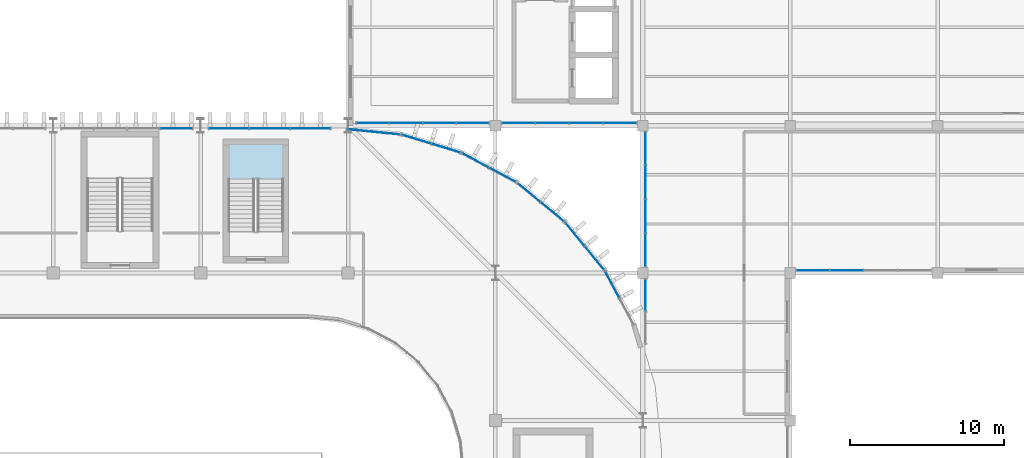
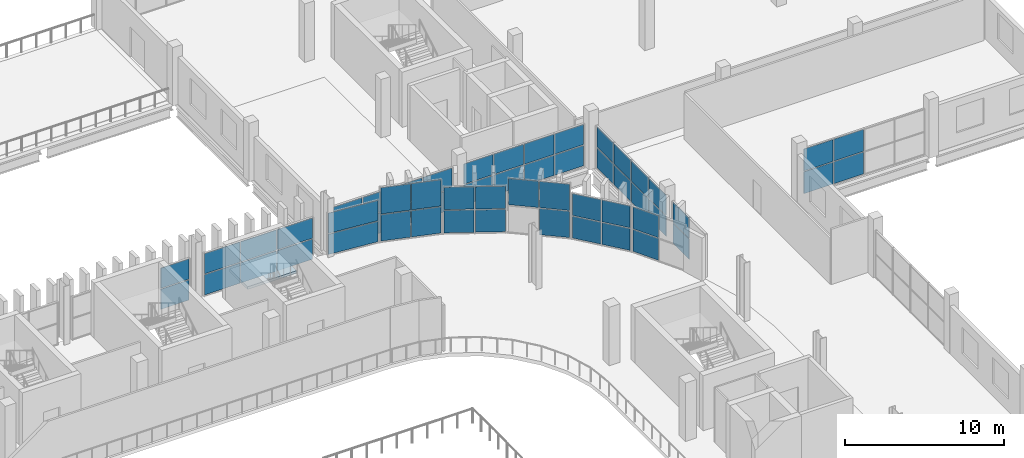
# One storey, part 41 of 75: 57 plates, 1 slab, 14 elements without a shape of their own.
"""IFC4 building model written with IfcOpenShell, lengths in metres."""

from ifc_helpers import new_model, si_unit, direction, frame, origin, origin_2d, place, context, subcontext, project, spatial, polyline, rectangle, outline, extrude, material, layer, layer_set, type_object, element, aggregate, save


model = new_model("IFC4")

# Units and contexts
model_context = context("Model", 3, precision=1e-05, world=origin(), true_north=direction((0.0, 1.0)))
body_context = subcontext(model_context, "Body", "Model", "MODEL_VIEW")
ifc_project = project(units=[si_unit("LENGTHUNIT", "METRE"), si_unit("AREAUNIT", "SQUARE_METRE"), si_unit("VOLUMEUNIT", "CUBIC_METRE"), si_unit("PLANEANGLEUNIT", "RADIAN"), si_unit("MASSUNIT", "GRAM", prefix="KILO")], contexts=[model_context])

# Site, building, storey
site_placement = place(None, origin())
site = spatial("IfcSite", under=ifc_project, at=site_placement, CompositionType="ELEMENT")
building_placement = place(site_placement, origin())
building = spatial("IfcBuilding", under=site, at=building_placement, Name="Caelomonte Colonnade Arena", CompositionType="ELEMENT")
storey_placement = place(building_placement, frame((0.0, 0.0, 14.10009765625)))
storey = spatial("IfcBuildingStorey", under=building, at=storey_placement, Name="L03", CompositionType="ELEMENT", Elevation=14.10009765625)

# Curtain wall, plates
ifc_material_1 = material(Name="Bronze anodised aluminium and low-E glazing", Category="aluminium")
ifc_layer_1 = layer(ifc_material_1, 0.179931640625)
ifc_layer_set_1 = layer_set([ifc_layer_1], Name="Bronze anodised aluminium and low-E glazing")
curtain_wall_type_1 = type_object("IfcCurtainWallType", Name="ENV-CW-CW-L03-96-36", PredefinedType="USERDEFINED", material=ifc_layer_set_1)
curtain_wall_1_placement = place(storey_placement, origin())
curtain_wall_1 = element("IfcCurtainWall", 1, at=curtain_wall_1_placement, inside=storey, type_object=curtain_wall_type_1, Name="L03 unitized curtain wall CW-L03-1776-1058", ObjectType="UNITIZED CURTAIN WALL", PredefinedType="USERDEFINED")
ifc_material_2 = material(Name="Solar-control bronze low-E double glazing", Category="glass")
ifc_layer_2 = layer(ifc_material_2, 0.035888671875)
ifc_layer_set_2 = layer_set([ifc_layer_2], Name="Solar-control bronze low-E double glazing")
plate_type = type_object("IfcPlateType", Name="ENV-CW-PAN36", PredefinedType="CURTAIN_PANEL", material=ifc_layer_set_2)
plate_1_placement = place(storey_placement, frame((174.293701171875, 105.780029296875, 0.06494140625), z_axis=(0.0, 0.0, 1.0), x_axis=(1.0, 0.0, 0.0)))
plate_1 = element("IfcPlate", 2, at=plate_1_placement, type_object=plate_type, Name="CW-L03-96-36 panel 1.1", PredefinedType="CURTAIN_PANEL", context=body_context, shape_type="SweptSolid", body=[
    extrude(rectangle(XDim=2.117431640625, YDim=0.035888671875, at=origin_2d()), origin(), (0.0, 0.0, 1.0), 1.680908203125),
])
plate_2_placement = place(storey_placement, frame((174.293701171875, 105.780029296875, 1.810546875), z_axis=(0.0, 0.0, 1.0), x_axis=(1.0, 0.0, 0.0)))
plate_2 = element("IfcPlate", 3, at=plate_2_placement, type_object=plate_type, Name="CW-L03-96-36 panel 1.2", PredefinedType="CURTAIN_PANEL", context=body_context, shape_type="SweptSolid", body=[
    extrude(rectangle(XDim=2.117431640625, YDim=0.035888671875, at=origin_2d()), origin(), (0.0, 0.0, 1.0), 1.680908203125),
])
plate_3_placement = place(storey_placement, frame((176.492431640625, 105.780029296875, 0.06494140625), z_axis=(0.0, 0.0, 1.0), x_axis=(1.0, 0.0, 0.0)))
plate_3 = element("IfcPlate", 4, at=plate_3_placement, type_object=plate_type, Name="CW-L03-96-36 panel 2.1", PredefinedType="CURTAIN_PANEL", context=body_context, shape_type="SweptSolid", body=[
    extrude(rectangle(XDim=2.14990234375, YDim=0.035888671875, at=origin_2d()), origin(), (0.0, 0.0, 1.0), 1.680908203125),
])
plate_4_placement = place(storey_placement, frame((176.492431640625, 105.780029296875, 1.810546875), z_axis=(0.0, 0.0, 1.0), x_axis=(1.0, 0.0, 0.0)))
plate_4 = element("IfcPlate", 5, at=plate_4_placement, type_object=plate_type, Name="CW-L03-96-36 panel 2.2", PredefinedType="CURTAIN_PANEL", context=body_context, shape_type="SweptSolid", body=[
    extrude(rectangle(XDim=2.14990234375, YDim=0.035888671875, at=origin_2d()), origin(), (0.0, 0.0, 1.0), 1.680908203125),
])
aggregate(curtain_wall_1, [plate_1, plate_2, plate_3, plate_4])

ifc_layer_3 = layer(ifc_material_1, 0.179931640625)
ifc_layer_set_3 = layer_set([ifc_layer_3], Name="Bronze anodised aluminium and low-E glazing")
curtain_wall_type_2 = type_object("IfcCurtainWallType", Name="ENV-CW-CW-L03-96-33", PredefinedType="USERDEFINED", material=ifc_layer_set_3)
curtain_wall_2_placement = place(storey_placement, origin())
curtain_wall_2 = element("IfcCurtainWall", 6, at=curtain_wall_2_placement, inside=storey, type_object=curtain_wall_type_2, Name="L03 unitized curtain wall CW-L03-1488-1154", ObjectType="UNITIZED CURTAIN WALL", PredefinedType="USERDEFINED")
plate_5_placement = place(storey_placement, frame((145.603271484375, 115.3798828125, 0.06982421875), z_axis=(0.0, 0.0, 1.0), x_axis=(1.0, 0.0, 0.0)))
plate_5 = element("IfcPlate", 7, at=plate_5_placement, type_object=plate_type, Name="CW-L03-96-33 panel 1.1", PredefinedType="CURTAIN_PANEL", context=body_context, shape_type="SweptSolid", body=[
    extrude(rectangle(XDim=2.0791015625, YDim=0.035888671875, at=origin_2d()), origin(), (0.0, 0.0, 1.0), 1.551513671875),
])
plate_6_placement = place(storey_placement, frame((145.603271484375, 115.3798828125, 1.69140625), z_axis=(0.0, 0.0, 1.0), x_axis=(1.0, 0.0, 0.0)))
plate_6 = element("IfcPlate", 8, at=plate_6_placement, type_object=plate_type, Name="CW-L03-96-33 panel 1.2", PredefinedType="CURTAIN_PANEL", context=body_context, shape_type="SweptSolid", body=[
    extrude(rectangle(XDim=2.0791015625, YDim=0.035888671875, at=origin_2d()), origin(), (0.0, 0.0, 1.0), 1.551513671875),
])
plate_7_placement = place(storey_placement, frame((147.769775390625, 115.3798828125, 0.06982421875), z_axis=(0.0, 0.0, 1.0), x_axis=(1.0, 0.0, 0.0)))
plate_7 = element("IfcPlate", 9, at=plate_7_placement, type_object=plate_type, Name="CW-L03-96-33 panel 2.1", PredefinedType="CURTAIN_PANEL", context=body_context, shape_type="SweptSolid", body=[
    extrude(rectangle(XDim=2.114013671875, YDim=0.035888671875, at=origin_2d()), origin(), (0.0, 0.0, 1.0), 1.551513671875),
])
plate_8_placement = place(storey_placement, frame((147.769775390625, 115.3798828125, 1.69140625), z_axis=(0.0, 0.0, 1.0), x_axis=(1.0, 0.0, 0.0)))
plate_8 = element("IfcPlate", 10, at=plate_8_placement, type_object=plate_type, Name="CW-L03-96-33 panel 2.2", PredefinedType="CURTAIN_PANEL", context=body_context, shape_type="SweptSolid", body=[
    extrude(rectangle(XDim=2.114013671875, YDim=0.035888671875, at=origin_2d()), origin(), (0.0, 0.0, 1.0), 1.551513671875),
])
plate_9_placement = place(storey_placement, frame((149.953857421875, 115.3798828125, 0.06982421875), z_axis=(0.0, 0.0, 1.0), x_axis=(1.0, 0.0, 0.0)))
plate_9 = element("IfcPlate", 11, at=plate_9_placement, type_object=plate_type, Name="CW-L03-96-33 panel 3.1", PredefinedType="CURTAIN_PANEL", context=body_context, shape_type="SweptSolid", body=[
    extrude(rectangle(XDim=2.114013671875, YDim=0.035888671875, at=origin_2d()), origin(), (0.0, 0.0, 1.0), 1.551513671875),
])
plate_10_placement = place(storey_placement, frame((149.953857421875, 115.3798828125, 1.69140625), z_axis=(0.0, 0.0, 1.0), x_axis=(1.0, 0.0, 0.0)))
plate_10 = element("IfcPlate", 12, at=plate_10_placement, type_object=plate_type, Name="CW-L03-96-33 panel 3.2", PredefinedType="CURTAIN_PANEL", context=body_context, shape_type="SweptSolid", body=[
    extrude(rectangle(XDim=2.114013671875, YDim=0.035888671875, at=origin_2d()), origin(), (0.0, 0.0, 1.0), 1.551513671875),
])
plate_11_placement = place(storey_placement, frame((152.120361328125, 115.3798828125, 0.06982421875), z_axis=(0.0, 0.0, 1.0), x_axis=(1.0, 0.0, 0.0)))
plate_11 = element("IfcPlate", 13, at=plate_11_placement, type_object=plate_type, Name="CW-L03-96-33 panel 4.1", PredefinedType="CURTAIN_PANEL", context=body_context, shape_type="SweptSolid", body=[
    extrude(rectangle(XDim=2.0791015625, YDim=0.035888671875, at=origin_2d()), origin(), (0.0, 0.0, 1.0), 1.551513671875),
])
plate_12_placement = place(storey_placement, frame((152.120361328125, 115.3798828125, 1.69140625), z_axis=(0.0, 0.0, 1.0), x_axis=(1.0, 0.0, 0.0)))
plate_12 = element("IfcPlate", 14, at=plate_12_placement, type_object=plate_type, Name="CW-L03-96-33 panel 4.2", PredefinedType="CURTAIN_PANEL", context=body_context, shape_type="SweptSolid", body=[
    extrude(rectangle(XDim=2.0791015625, YDim=0.035888671875, at=origin_2d()), origin(), (0.0, 0.0, 1.0), 1.551513671875),
])
aggregate(curtain_wall_2, [plate_5, plate_6, plate_7, plate_8, plate_9, plate_10, plate_11, plate_12])

curtain_wall_3_placement = place(storey_placement, origin())
curtain_wall_3 = element("IfcCurtainWall", 15, at=curtain_wall_3_placement, inside=storey, type_object=curtain_wall_type_2, Name="L03 unitized curtain wall CW-L03-1584-1154", ObjectType="UNITIZED CURTAIN WALL", PredefinedType="USERDEFINED")
plate_13_placement = place(storey_placement, frame((155.094970703125, 115.3798828125, 0.06982421875), z_axis=(0.0, 0.0, 1.0), x_axis=(1.0, 0.0, 0.0)))
plate_13 = element("IfcPlate", 16, at=plate_13_placement, type_object=plate_type, Name="CW-L03-96-33 panel 1.1", PredefinedType="CURTAIN_PANEL", context=body_context, shape_type="SweptSolid", body=[
    extrude(rectangle(XDim=2.110107421875, YDim=0.035888671875, at=origin_2d()), origin(), (0.0, 0.0, 1.0), 1.551513671875),
])
plate_14_placement = place(storey_placement, frame((155.094970703125, 115.3798828125, 1.69140625), z_axis=(0.0, 0.0, 1.0), x_axis=(1.0, 0.0, 0.0)))
plate_14 = element("IfcPlate", 17, at=plate_14_placement, type_object=plate_type, Name="CW-L03-96-33 panel 1.2", PredefinedType="CURTAIN_PANEL", context=body_context, shape_type="SweptSolid", body=[
    extrude(rectangle(XDim=2.110107421875, YDim=0.035888671875, at=origin_2d()), origin(), (0.0, 0.0, 1.0), 1.551513671875),
])
plate_15_placement = place(storey_placement, frame((157.29248046875, 115.3798828125, 0.06982421875), z_axis=(0.0, 0.0, 1.0), x_axis=(1.0, 0.0, 0.0)))
plate_15 = element("IfcPlate", 18, at=plate_15_placement, type_object=plate_type, Name="CW-L03-96-33 panel 2.1", PredefinedType="CURTAIN_PANEL", context=body_context, shape_type="SweptSolid", body=[
    extrude(rectangle(XDim=2.14501953125, YDim=0.035888671875, at=origin_2d()), origin(), (0.0, 0.0, 1.0), 1.551513671875),
])
plate_16_placement = place(storey_placement, frame((157.29248046875, 115.3798828125, 1.69140625), z_axis=(0.0, 0.0, 1.0), x_axis=(1.0, 0.0, 0.0)))
plate_16 = element("IfcPlate", 19, at=plate_16_placement, type_object=plate_type, Name="CW-L03-96-33 panel 2.2", PredefinedType="CURTAIN_PANEL", context=body_context, shape_type="SweptSolid", body=[
    extrude(rectangle(XDim=2.14501953125, YDim=0.035888671875, at=origin_2d()), origin(), (0.0, 0.0, 1.0), 1.551513671875),
])
plate_17_placement = place(storey_placement, frame((159.507568359375, 115.3798828125, 0.06982421875), z_axis=(0.0, 0.0, 1.0), x_axis=(1.0, 0.0, 0.0)))
plate_17 = element("IfcPlate", 20, at=plate_17_placement, type_object=plate_type, Name="CW-L03-96-33 panel 3.1", PredefinedType="CURTAIN_PANEL", context=body_context, shape_type="SweptSolid", body=[
    extrude(rectangle(XDim=2.14501953125, YDim=0.035888671875, at=origin_2d()), origin(), (0.0, 0.0, 1.0), 1.551513671875),
])
plate_18_placement = place(storey_placement, frame((159.507568359375, 115.3798828125, 1.69140625), z_axis=(0.0, 0.0, 1.0), x_axis=(1.0, 0.0, 0.0)))
plate_18 = element("IfcPlate", 21, at=plate_18_placement, type_object=plate_type, Name="CW-L03-96-33 panel 3.2", PredefinedType="CURTAIN_PANEL", context=body_context, shape_type="SweptSolid", body=[
    extrude(rectangle(XDim=2.14501953125, YDim=0.035888671875, at=origin_2d()), origin(), (0.0, 0.0, 1.0), 1.551513671875),
])
plate_19_placement = place(storey_placement, frame((161.705078125, 115.3798828125, 0.06982421875), z_axis=(0.0, 0.0, 1.0), x_axis=(1.0, 0.0, 0.0)))
plate_19 = element("IfcPlate", 22, at=plate_19_placement, type_object=plate_type, Name="CW-L03-96-33 panel 4.1", PredefinedType="CURTAIN_PANEL", context=body_context, shape_type="SweptSolid", body=[
    extrude(rectangle(XDim=2.110107421875, YDim=0.035888671875, at=origin_2d()), origin(), (0.0, 0.0, 1.0), 1.551513671875),
])
plate_20_placement = place(storey_placement, frame((161.705078125, 115.3798828125, 1.69140625), z_axis=(0.0, 0.0, 1.0), x_axis=(1.0, 0.0, 0.0)))
plate_20 = element("IfcPlate", 23, at=plate_20_placement, type_object=plate_type, Name="CW-L03-96-33 panel 4.2", PredefinedType="CURTAIN_PANEL", context=body_context, shape_type="SweptSolid", body=[
    extrude(rectangle(XDim=2.110107421875, YDim=0.035888671875, at=origin_2d()), origin(), (0.0, 0.0, 1.0), 1.551513671875),
])
aggregate(curtain_wall_3, [plate_13, plate_14, plate_15, plate_16, plate_17, plate_18, plate_19, plate_20])

curtain_wall_4_placement = place(storey_placement, origin())
curtain_wall_4 = element("IfcCurtainWall", 24, at=curtain_wall_4_placement, inside=storey, type_object=curtain_wall_type_2, Name="L03 unitized curtain wall CW-L03-1634-1104", ObjectType="UNITIZED CURTAIN WALL", PredefinedType="USERDEFINED")
plate_21_placement = place(storey_placement, frame((163.3798828125, 113.705078125, 0.06982421875), z_axis=(0.0, 0.0, 1.0), x_axis=(0.0, -1.0, 0.0)))
plate_21 = element("IfcPlate", 25, at=plate_21_placement, type_object=plate_type, Name="CW-L03-96-33 panel 1.1", PredefinedType="CURTAIN_PANEL", context=body_context, shape_type="SweptSolid", body=[
    extrude(rectangle(XDim=2.110107421875, YDim=0.035888671875, at=origin_2d()), origin(), (0.0, 0.0, 1.0), 1.551513671875),
])
plate_22_placement = place(storey_placement, frame((163.3798828125, 113.705078125, 1.69140625), z_axis=(0.0, 0.0, 1.0), x_axis=(0.0, -1.0, 0.0)))
plate_22 = element("IfcPlate", 26, at=plate_22_placement, type_object=plate_type, Name="CW-L03-96-33 panel 1.2", PredefinedType="CURTAIN_PANEL", context=body_context, shape_type="SweptSolid", body=[
    extrude(rectangle(XDim=2.110107421875, YDim=0.035888671875, at=origin_2d()), origin(), (0.0, 0.0, 1.0), 1.551513671875),
])
plate_23_placement = place(storey_placement, frame((163.3798828125, 111.507568359375, 0.06982421875), z_axis=(0.0, 0.0, 1.0), x_axis=(0.0, -1.0, 0.0)))
plate_23 = element("IfcPlate", 27, at=plate_23_placement, type_object=plate_type, Name="CW-L03-96-33 panel 2.1", PredefinedType="CURTAIN_PANEL", context=body_context, shape_type="SweptSolid", body=[
    extrude(rectangle(XDim=2.14501953125, YDim=0.035888671875, at=origin_2d()), origin(), (0.0, 0.0, 1.0), 1.551513671875),
])
plate_24_placement = place(storey_placement, frame((163.3798828125, 111.507568359375, 1.69140625), z_axis=(0.0, 0.0, 1.0), x_axis=(0.0, -1.0, 0.0)))
plate_24 = element("IfcPlate", 28, at=plate_24_placement, type_object=plate_type, Name="CW-L03-96-33 panel 2.2", PredefinedType="CURTAIN_PANEL", context=body_context, shape_type="SweptSolid", body=[
    extrude(rectangle(XDim=2.14501953125, YDim=0.035888671875, at=origin_2d()), origin(), (0.0, 0.0, 1.0), 1.551513671875),
])
plate_25_placement = place(storey_placement, frame((163.3798828125, 109.29248046875, 0.06982421875), z_axis=(0.0, 0.0, 1.0), x_axis=(0.0, -1.0, 0.0)))
plate_25 = element("IfcPlate", 29, at=plate_25_placement, type_object=plate_type, Name="CW-L03-96-33 panel 3.1", PredefinedType="CURTAIN_PANEL", context=body_context, shape_type="SweptSolid", body=[
    extrude(rectangle(XDim=2.14501953125, YDim=0.035888671875, at=origin_2d()), origin(), (0.0, 0.0, 1.0), 1.551513671875),
])
plate_26_placement = place(storey_placement, frame((163.3798828125, 109.29248046875, 1.69140625), z_axis=(0.0, 0.0, 1.0), x_axis=(0.0, -1.0, 0.0)))
plate_26 = element("IfcPlate", 30, at=plate_26_placement, type_object=plate_type, Name="CW-L03-96-33 panel 3.2", PredefinedType="CURTAIN_PANEL", context=body_context, shape_type="SweptSolid", body=[
    extrude(rectangle(XDim=2.14501953125, YDim=0.035888671875, at=origin_2d()), origin(), (0.0, 0.0, 1.0), 1.551513671875),
])
plate_27_placement = place(storey_placement, frame((163.3798828125, 107.094970703125, 0.06982421875), z_axis=(0.0, 0.0, 1.0), x_axis=(0.0, -1.0, 0.0)))
plate_27 = element("IfcPlate", 31, at=plate_27_placement, type_object=plate_type, Name="CW-L03-96-33 panel 4.1", PredefinedType="CURTAIN_PANEL", context=body_context, shape_type="SweptSolid", body=[
    extrude(rectangle(XDim=2.110107421875, YDim=0.035888671875, at=origin_2d()), origin(), (0.0, 0.0, 1.0), 1.551513671875),
])
plate_28_placement = place(storey_placement, frame((163.3798828125, 107.094970703125, 1.69140625), z_axis=(0.0, 0.0, 1.0), x_axis=(0.0, -1.0, 0.0)))
plate_28 = element("IfcPlate", 32, at=plate_28_placement, type_object=plate_type, Name="CW-L03-96-33 panel 4.2", PredefinedType="CURTAIN_PANEL", context=body_context, shape_type="SweptSolid", body=[
    extrude(rectangle(XDim=2.110107421875, YDim=0.035888671875, at=origin_2d()), origin(), (0.0, 0.0, 1.0), 1.551513671875),
])
aggregate(curtain_wall_4, [plate_21, plate_22, plate_23, plate_24, plate_25, plate_26, plate_27, plate_28])

ifc_layer_4 = layer(ifc_material_1, 0.179931640625)
ifc_layer_set_4 = layer_set([ifc_layer_4], Name="Bronze anodised aluminium and low-E glazing")
curtain_wall_type_3 = type_object("IfcCurtainWallType", Name="ENV-CW-CW-L03-48-33", PredefinedType="USERDEFINED", material=ifc_layer_set_4)
curtain_wall_5_placement = place(storey_placement, origin())
curtain_wall_5 = element("IfcCurtainWall", 33, at=curtain_wall_5_placement, inside=storey, type_object=curtain_wall_type_3, Name="L03 unitized curtain wall CW-L03-1634-1032", ObjectType="UNITIZED CURTAIN WALL", PredefinedType="USERDEFINED")
plate_29_placement = place(storey_placement, frame((163.3798828125, 104.146240234375, 0.06982421875), z_axis=(0.0, 0.0, 1.0), x_axis=(0.0, -1.0, 0.0)))
plate_29 = element("IfcPlate", 34, at=plate_29_placement, type_object=plate_type, Name="CW-L03-48-33 panel 1.1", PredefinedType="CURTAIN_PANEL", context=body_context, shape_type="SweptSolid", body=[
    extrude(rectangle(XDim=2.02783203125, YDim=0.035888671875, at=origin_2d()), origin(), (0.0, 0.0, 1.0), 1.551513671875),
])
plate_30_placement = place(storey_placement, frame((163.3798828125, 104.146240234375, 1.69140625), z_axis=(0.0, 0.0, 1.0), x_axis=(0.0, -1.0, 0.0)))
plate_30 = element("IfcPlate", 35, at=plate_30_placement, type_object=plate_type, Name="CW-L03-48-33 panel 1.2", PredefinedType="CURTAIN_PANEL", context=body_context, shape_type="SweptSolid", body=[
    extrude(rectangle(XDim=2.02783203125, YDim=0.035888671875, at=origin_2d()), origin(), (0.0, 0.0, 1.0), 1.551513671875),
])
aggregate(curtain_wall_5, [plate_29, plate_30])

ifc_layer_5 = layer(ifc_material_1, 0.179931640625)
ifc_layer_set_5 = layer_set([ifc_layer_5], Name="Bronze anodised aluminium and low-E glazing")
curtain_wall_type_4 = type_object("IfcCurtainWallType", Name="ENV-CW-CW-L03-44-36", PredefinedType="USERDEFINED", material=ifc_layer_set_5)
curtain_wall_6_placement = place(storey_placement, origin())
curtain_wall_6 = element("IfcCurtainWall", 36, at=curtain_wall_6_placement, inside=storey, type_object=curtain_wall_type_4, Name="L03 unitized curtain wall CW-L03-1617-1040", ObjectType="UNITIZED CURTAIN WALL", PredefinedType="USERDEFINED")
plate_31_placement = place(storey_placement, frame((161.205078125, 104.841552734375, 0.06982421875), z_axis=(0.0, 0.0, 1.0), x_axis=(-0.471394212466, 0.881922613642, 0.0)))
plate_31 = element("IfcPlate", 37, at=plate_31_placement, type_object=plate_type, Name="CW-L03-44-36 panel 2.1", PredefinedType="CURTAIN_PANEL", context=body_context, shape_type="SweptSolid", body=[
    extrude(rectangle(XDim=1.913330078125, YDim=0.035888671875, at=origin_2d()), origin(), (0.0, 0.0, 1.0), 1.67333984375),
])
plate_32_placement = place(storey_placement, frame((161.205078125, 104.841552734375, 1.813232421875), z_axis=(0.0, 0.0, 1.0), x_axis=(-0.471394212466, 0.881922613642, 0.0)))
plate_32 = element("IfcPlate", 38, at=plate_32_placement, type_object=plate_type, Name="CW-L03-44-36 panel 2.2", PredefinedType="CURTAIN_PANEL", context=body_context, shape_type="SweptSolid", body=[
    extrude(rectangle(XDim=1.913330078125, YDim=0.035888671875, at=origin_2d()), origin(), (0.0, 0.0, 1.0), 1.67333984375),
])
aggregate(curtain_wall_6, [plate_31, plate_32])

curtain_wall_7_placement = place(storey_placement, origin())
curtain_wall_7 = element("IfcCurtainWall", 39, at=curtain_wall_7_placement, inside=storey, type_object=curtain_wall_type_4, Name="L03 unitized curtain wall CW-L03-1594-1073", ObjectType="UNITIZED CURTAIN WALL", PredefinedType="USERDEFINED")
plate_33_placement = place(storey_placement, frame((160.045166015625, 106.577392578125, 0.06982421875), z_axis=(0.0, 0.0, 1.0), x_axis=(-0.634416071163, 0.772991751994, 0.0)))
plate_33 = element("IfcPlate", 40, at=plate_33_placement, type_object=plate_type, Name="CW-L03-44-36 panel 1.1", PredefinedType="CURTAIN_PANEL", context=body_context, shape_type="SweptSolid", body=[
    extrude(rectangle(XDim=1.913330078125, YDim=0.035888671875, at=origin_2d()), origin(), (0.0, 0.0, 1.0), 1.67333984375),
])
plate_34_placement = place(storey_placement, frame((160.045166015625, 106.577392578125, 1.813232421875), z_axis=(0.0, 0.0, 1.0), x_axis=(-0.634416071163, 0.772991751994, 0.0)))
plate_34 = element("IfcPlate", 41, at=plate_34_placement, type_object=plate_type, Name="CW-L03-44-36 panel 1.2", PredefinedType="CURTAIN_PANEL", context=body_context, shape_type="SweptSolid", body=[
    extrude(rectangle(XDim=1.913330078125, YDim=0.035888671875, at=origin_2d()), origin(), (0.0, 0.0, 1.0), 1.67333984375),
])
plate_35_placement = place(storey_placement, frame((158.786865234375, 108.1103515625, 0.06982421875), z_axis=(0.0, 0.0, 1.0), x_axis=(-0.634416071163, 0.772991751994, 0.0)))
plate_35 = element("IfcPlate", 42, at=plate_35_placement, type_object=plate_type, Name="CW-L03-44-36 panel 2.1", PredefinedType="CURTAIN_PANEL", context=body_context, shape_type="SweptSolid", body=[
    extrude(rectangle(XDim=1.913330078125, YDim=0.035888671875, at=origin_2d()), origin(), (0.0, 0.0, 1.0), 1.67333984375),
])
plate_36_placement = place(storey_placement, frame((158.786865234375, 108.1103515625, 1.813232421875), z_axis=(0.0, 0.0, 1.0), x_axis=(-0.634416071163, 0.772991751994, 0.0)))
plate_36 = element("IfcPlate", 43, at=plate_36_placement, type_object=plate_type, Name="CW-L03-44-36 panel 2.2", PredefinedType="CURTAIN_PANEL", context=body_context, shape_type="SweptSolid", body=[
    extrude(rectangle(XDim=1.913330078125, YDim=0.035888671875, at=origin_2d()), origin(), (0.0, 0.0, 1.0), 1.67333984375),
])
aggregate(curtain_wall_7, [plate_33, plate_34, plate_35, plate_36])

ifc_layer_6 = layer(ifc_material_1, 0.179931640625)
ifc_layer_set_6 = layer_set([ifc_layer_6], Name="Bronze anodised aluminium and low-E glazing")
curtain_wall_type_5 = type_object("IfcCurtainWallType", Name="ENV-CW-CW-L03-44-42", PredefinedType="USERDEFINED", material=ifc_layer_set_6)
curtain_wall_8_placement = place(storey_placement, origin())
curtain_wall_8 = element("IfcCurtainWall", 44, at=curtain_wall_8_placement, inside=storey, type_object=curtain_wall_type_5, Name="L03 unitized curtain wall CW-L03-1565-1102", ObjectType="UNITIZED CURTAIN WALL", PredefinedType="USERDEFINED")
plate_37_placement = place(storey_placement, frame((157.310546875, 109.586669921875, 0.06982421875), z_axis=(0.0, 0.0, 1.0), x_axis=(-0.772991751994, 0.634416071163, 0.0)))
plate_37 = element("IfcPlate", 45, at=plate_37_placement, type_object=plate_type, Name="CW-L03-44-42 panel 1.1", PredefinedType="CURTAIN_PANEL", context=body_context, shape_type="SweptSolid", body=[
    extrude(rectangle(XDim=1.913330078125, YDim=0.035888671875, at=origin_2d()), origin(), (0.0, 0.0, 1.0), 2.014892578125),
])
plate_38_placement = place(storey_placement, frame((157.310546875, 109.586669921875, 2.15478515625), z_axis=(0.0, 0.0, 1.0), x_axis=(-0.772991751994, 0.634416071163, 0.0)))
plate_38 = element("IfcPlate", 46, at=plate_38_placement, type_object=plate_type, Name="CW-L03-44-42 panel 1.2", PredefinedType="CURTAIN_PANEL", context=body_context, shape_type="SweptSolid", body=[
    extrude(rectangle(XDim=1.913330078125, YDim=0.035888671875, at=origin_2d()), origin(), (0.0, 0.0, 1.0), 2.014892578125),
])
plate_39_placement = place(storey_placement, frame((155.77734375, 110.844970703125, 2.15478515625), z_axis=(0.0, 0.0, 1.0), x_axis=(-0.772991751994, 0.634416071163, 0.0)))
plate_39 = element("IfcPlate", 47, at=plate_39_placement, type_object=plate_type, Name="CW-L03-44-42 panel 2.2", PredefinedType="CURTAIN_PANEL", context=body_context, shape_type="SweptSolid", body=[
    extrude(rectangle(XDim=1.913330078125, YDim=0.035888671875, at=origin_2d()), origin(), (0.0, 0.0, 1.0), 2.014892578125),
])
aggregate(curtain_wall_8, [plate_37, plate_38, plate_39])

curtain_wall_9_placement = place(storey_placement, origin())
curtain_wall_9 = element("IfcCurtainWall", 48, at=curtain_wall_9_placement, inside=storey, type_object=curtain_wall_type_4, Name="L03 unitized curtain wall CW-L03-1532-1125", ObjectType="UNITIZED CURTAIN WALL", PredefinedType="USERDEFINED")
plate_40_placement = place(storey_placement, frame((154.04150390625, 112.0048828125, 0.06982421875), z_axis=(0.0, 0.0, 1.0), x_axis=(-0.881922613642, 0.471394212466, 0.0)))
plate_40 = element("IfcPlate", 49, at=plate_40_placement, type_object=plate_type, Name="CW-L03-44-36 panel 1.1", PredefinedType="CURTAIN_PANEL", context=body_context, shape_type="SweptSolid", body=[
    extrude(rectangle(XDim=1.913330078125, YDim=0.035888671875, at=origin_2d()), origin(), (0.0, 0.0, 1.0), 1.714111328125),
])
plate_41_placement = place(storey_placement, frame((154.04150390625, 112.0048828125, 1.85400390625), z_axis=(0.0, 0.0, 1.0), x_axis=(-0.881922613642, 0.471394212466, 0.0)))
plate_41 = element("IfcPlate", 50, at=plate_41_placement, type_object=plate_type, Name="CW-L03-44-36 panel 1.2", PredefinedType="CURTAIN_PANEL", context=body_context, shape_type="SweptSolid", body=[
    extrude(rectangle(XDim=1.913330078125, YDim=0.035888671875, at=origin_2d()), origin(), (0.0, 0.0, 1.0), 1.714111328125),
])
plate_42_placement = place(storey_placement, frame((152.292236328125, 112.93994140625, 0.06982421875), z_axis=(0.0, 0.0, 1.0), x_axis=(-0.881922613642, 0.471394212466, 0.0)))
plate_42 = element("IfcPlate", 51, at=plate_42_placement, type_object=plate_type, Name="CW-L03-44-36 panel 2.1", PredefinedType="CURTAIN_PANEL", context=body_context, shape_type="SweptSolid", body=[
    extrude(rectangle(XDim=1.913330078125, YDim=0.035888671875, at=origin_2d()), origin(), (0.0, 0.0, 1.0), 1.714111328125),
])
plate_43_placement = place(storey_placement, frame((152.292236328125, 112.93994140625, 1.85400390625), z_axis=(0.0, 0.0, 1.0), x_axis=(-0.881922613642, 0.471394212466, 0.0)))
plate_43 = element("IfcPlate", 52, at=plate_43_placement, type_object=plate_type, Name="CW-L03-44-36 panel 2.2", PredefinedType="CURTAIN_PANEL", context=body_context, shape_type="SweptSolid", body=[
    extrude(rectangle(XDim=1.913330078125, YDim=0.035888671875, at=origin_2d()), origin(), (0.0, 0.0, 1.0), 1.714111328125),
])
aggregate(curtain_wall_9, [plate_40, plate_41, plate_42, plate_43])

curtain_wall_10_placement = place(storey_placement, origin())
curtain_wall_10 = element("IfcCurtainWall", 53, at=curtain_wall_10_placement, inside=storey, type_object=curtain_wall_type_5, Name="L03 unitized curtain wall CW-L03-1494-1140", ObjectType="UNITIZED CURTAIN WALL", PredefinedType="USERDEFINED")
plate_44_placement = place(storey_placement, frame((150.36328125, 113.739013671875, 0.06982421875), z_axis=(0.0, 0.0, 1.0), x_axis=(-0.956949160999, 0.290255582655, 0.0)))
plate_44 = element("IfcPlate", 54, at=plate_44_placement, type_object=plate_type, Name="CW-L03-44-42 panel 1.1", PredefinedType="CURTAIN_PANEL", context=body_context, shape_type="SweptSolid", body=[
    extrude(rectangle(XDim=1.913330078125, YDim=0.035888671875, at=origin_2d()), origin(), (0.0, 0.0, 1.0), 2.014892578125),
])
plate_45_placement = place(storey_placement, frame((150.36328125, 113.739013671875, 2.15478515625), z_axis=(0.0, 0.0, 1.0), x_axis=(-0.956949160999, 0.290255582655, 0.0)))
plate_45 = element("IfcPlate", 55, at=plate_45_placement, type_object=plate_type, Name="CW-L03-44-42 panel 1.2", PredefinedType="CURTAIN_PANEL", context=body_context, shape_type="SweptSolid", body=[
    extrude(rectangle(XDim=1.913330078125, YDim=0.035888671875, at=origin_2d()), origin(), (0.0, 0.0, 1.0), 2.014892578125),
])
plate_46_placement = place(storey_placement, frame((148.46533203125, 114.314697265625, 0.06982421875), z_axis=(0.0, 0.0, 1.0), x_axis=(-0.956949160999, 0.290255582655, 0.0)))
plate_46 = element("IfcPlate", 56, at=plate_46_placement, type_object=plate_type, Name="CW-L03-44-42 panel 2.1", PredefinedType="CURTAIN_PANEL", context=body_context, shape_type="SweptSolid", body=[
    extrude(rectangle(XDim=1.913330078125, YDim=0.035888671875, at=origin_2d()), origin(), (0.0, 0.0, 1.0), 2.014892578125),
])
plate_47_placement = place(storey_placement, frame((148.46533203125, 114.314697265625, 2.15478515625), z_axis=(0.0, 0.0, 1.0), x_axis=(-0.956949160999, 0.290255582655, 0.0)))
plate_47 = element("IfcPlate", 57, at=plate_47_placement, type_object=plate_type, Name="CW-L03-44-42 panel 2.2", PredefinedType="CURTAIN_PANEL", context=body_context, shape_type="SweptSolid", body=[
    extrude(rectangle(XDim=1.913330078125, YDim=0.035888671875, at=origin_2d()), origin(), (0.0, 0.0, 1.0), 2.014892578125),
])
aggregate(curtain_wall_10, [plate_44, plate_45, plate_46, plate_47])

ifc_layer_7 = layer(ifc_material_1, 0.179931640625)
ifc_layer_set_7 = layer_set([ifc_layer_7], Name="Bronze anodised aluminium and low-E glazing")
curtain_wall_type_6 = type_object("IfcCurtainWallType", Name="ENV-CW-CW-L03-42-33", PredefinedType="USERDEFINED", material=ifc_layer_set_7)
curtain_wall_11_placement = place(storey_placement, origin())
curtain_wall_11 = element("IfcCurtainWall", 58, at=curtain_wall_11_placement, inside=storey, type_object=curtain_wall_type_6, Name="L03 unitized curtain wall CW-L03-1455-1148", ObjectType="UNITIZED CURTAIN WALL", PredefinedType="USERDEFINED")
plate_48_placement = place(storey_placement, frame((145.656494140625, 114.796875, 0.06982421875), z_axis=(0.0, 0.0, 1.0), x_axis=(-0.995184476904, 0.09801967624, 0.0)))
plate_48 = element("IfcPlate", 59, at=plate_48_placement, type_object=plate_type, Name="CW-L03-42-33 panel 1.1", PredefinedType="CURTAIN_PANEL", context=body_context, shape_type="SweptSolid", body=[
    extrude(rectangle(XDim=3.44287109375, YDim=0.035888671875, at=origin_2d()), origin(), (0.0, 0.0, 1.0), 1.551513671875),
])
plate_49_placement = place(storey_placement, frame((145.656494140625, 114.796875, 1.69140625), z_axis=(0.0, 0.0, 1.0), x_axis=(-0.995184476904, 0.09801967624, 0.0)))
plate_49 = element("IfcPlate", 60, at=plate_49_placement, type_object=plate_type, Name="CW-L03-42-33 panel 1.2", PredefinedType="CURTAIN_PANEL", context=body_context, shape_type="SweptSolid", body=[
    extrude(rectangle(XDim=3.44287109375, YDim=0.035888671875, at=origin_2d()), origin(), (0.0, 0.0, 1.0), 1.551513671875),
])
aggregate(curtain_wall_11, [plate_48, plate_49])

ifc_layer_8 = layer(ifc_material_1, 0.179931640625)
ifc_layer_set_8 = layer_set([ifc_layer_8], Name="Bronze anodised aluminium and low-E glazing")
curtain_wall_type_7 = type_object("IfcCurtainWallType", Name="ENV-CW-CW-L03-90-33", PredefinedType="USERDEFINED", material=ifc_layer_set_8)
curtain_wall_12_placement = place(storey_placement, origin())
curtain_wall_12 = element("IfcCurtainWall", 61, at=curtain_wall_12_placement, inside=storey, type_object=curtain_wall_type_7, Name="L03 unitized curtain wall CW-L03-1389-1150", ObjectType="UNITIZED CURTAIN WALL", PredefinedType="USERDEFINED")
plate_50_placement = place(storey_placement, frame((141.553466796875, 115.02001953125, 0.06982421875), z_axis=(0.0, 0.0, 1.0), x_axis=(-1.0, 0.0, 0.0)))
plate_50 = element("IfcPlate", 62, at=plate_50_placement, type_object=plate_type, Name="CW-L03-90-33 panel 1.1", PredefinedType="CURTAIN_PANEL", context=body_context, shape_type="SweptSolid", body=[
    extrude(rectangle(XDim=2.56591796875, YDim=0.035888671875, at=origin_2d()), origin(), (0.0, 0.0, 1.0), 1.551513671875),
])
plate_51_placement = place(storey_placement, frame((141.553466796875, 115.02001953125, 1.69140625), z_axis=(0.0, 0.0, 1.0), x_axis=(-1.0, 0.0, 0.0)))
plate_51 = element("IfcPlate", 63, at=plate_51_placement, type_object=plate_type, Name="CW-L03-90-33 panel 1.2", PredefinedType="CURTAIN_PANEL", context=body_context, shape_type="SweptSolid", body=[
    extrude(rectangle(XDim=2.56591796875, YDim=0.035888671875, at=origin_2d()), origin(), (0.0, 0.0, 1.0), 1.551513671875),
])
plate_52_placement = place(storey_placement, frame((138.89990234375, 115.02001953125, 0.06982421875), z_axis=(0.0, 0.0, 1.0), x_axis=(-1.0, 0.0, 0.0)))
plate_52 = element("IfcPlate", 64, at=plate_52_placement, type_object=plate_type, Name="CW-L03-90-33 panel 2.1", PredefinedType="CURTAIN_PANEL", context=body_context, shape_type="SweptSolid", body=[
    extrude(rectangle(XDim=2.600830078125, YDim=0.035888671875, at=origin_2d()), origin(), (0.0, 0.0, 1.0), 1.551513671875),
])
plate_53_placement = place(storey_placement, frame((138.89990234375, 115.02001953125, 1.69140625), z_axis=(0.0, 0.0, 1.0), x_axis=(-1.0, 0.0, 0.0)))
plate_53 = element("IfcPlate", 65, at=plate_53_placement, type_object=plate_type, Name="CW-L03-90-33 panel 2.2", PredefinedType="CURTAIN_PANEL", context=body_context, shape_type="SweptSolid", body=[
    extrude(rectangle(XDim=2.600830078125, YDim=0.035888671875, at=origin_2d()), origin(), (0.0, 0.0, 1.0), 1.551513671875),
])
plate_54_placement = place(storey_placement, frame((136.24658203125, 115.02001953125, 0.06982421875), z_axis=(0.0, 0.0, 1.0), x_axis=(-1.0, 0.0, 0.0)))
plate_54 = element("IfcPlate", 66, at=plate_54_placement, type_object=plate_type, Name="CW-L03-90-33 panel 3.1", PredefinedType="CURTAIN_PANEL", context=body_context, shape_type="SweptSolid", body=[
    extrude(rectangle(XDim=2.56591796875, YDim=0.035888671875, at=origin_2d()), origin(), (0.0, 0.0, 1.0), 1.551513671875),
])
plate_55_placement = place(storey_placement, frame((136.24658203125, 115.02001953125, 1.69140625), z_axis=(0.0, 0.0, 1.0), x_axis=(-1.0, 0.0, 0.0)))
plate_55 = element("IfcPlate", 67, at=plate_55_placement, type_object=plate_type, Name="CW-L03-90-33 panel 3.2", PredefinedType="CURTAIN_PANEL", context=body_context, shape_type="SweptSolid", body=[
    extrude(rectangle(XDim=2.56591796875, YDim=0.035888671875, at=origin_2d()), origin(), (0.0, 0.0, 1.0), 1.551513671875),
])
aggregate(curtain_wall_12, [plate_50, plate_51, plate_52, plate_53, plate_54, plate_55])

curtain_wall_13_placement = place(storey_placement, origin())
curtain_wall_13 = element("IfcCurtainWall", 68, at=curtain_wall_13_placement, inside=storey, type_object=curtain_wall_type_2, Name="L03 unitized curtain wall CW-L03-1296-1150", ObjectType="UNITIZED CURTAIN WALL", PredefinedType="USERDEFINED")
plate_56_placement = place(storey_placement, frame((132.812255859375, 115.02001953125, 0.06982421875), z_axis=(0.0, 0.0, 1.0), x_axis=(-1.0, 0.0, 0.0)))
plate_56 = element("IfcPlate", 69, at=plate_56_placement, type_object=plate_type, Name="CW-L03-96-33 panel 1.1", PredefinedType="CURTAIN_PANEL", context=body_context, shape_type="SweptSolid", body=[
    extrude(rectangle(XDim=2.048095703125, YDim=0.035888671875, at=origin_2d()), origin(), (0.0, 0.0, 1.0), 1.551513671875),
])
plate_57_placement = place(storey_placement, frame((132.812255859375, 115.02001953125, 1.69140625), z_axis=(0.0, 0.0, 1.0), x_axis=(-1.0, 0.0, 0.0)))
plate_57 = element("IfcPlate", 70, at=plate_57_placement, type_object=plate_type, Name="CW-L03-96-33 panel 1.2", PredefinedType="CURTAIN_PANEL", context=body_context, shape_type="SweptSolid", body=[
    extrude(rectangle(XDim=2.048095703125, YDim=0.035888671875, at=origin_2d()), origin(), (0.0, 0.0, 1.0), 1.551513671875),
])
aggregate(curtain_wall_13, [plate_56, plate_57])

# Stair, slab
ifc_material_3 = material(Name="Precast concrete C40/50", Category="concrete")
stair_type = type_object("IfcStairType", Name="INT-ST-VOMU", PredefinedType="HALF_TURN_STAIR", material=ifc_material_3)
stair_placement = place(storey_placement, origin())
stair = element("IfcStair", 71, at=stair_placement, inside=storey, type_object=stair_type, Name="L03 Vomitory VOM-16 aisle stair ST-V16", PredefinedType="HALF_TURN_STAIR")
ifc_material_4 = material(Name="Concrete C40/50", Category="concrete")
ifc_layer_9 = layer(ifc_material_4, 0.199951171875)
ifc_layer_set_9 = layer_set([ifc_layer_9], Name="Concrete C40/50")
slab_type = type_object("IfcSlabType", Name="INT-SL-LAND20", PredefinedType="LANDING", material=ifc_layer_set_9)
slab_placement = place(storey_placement, frame((0.0, 0.0, 2.0498046875)))
slab = element("IfcSlab", 72, at=slab_placement, type_object=slab_type, Name="ST-V16 landing 1", PredefinedType="LANDING", context=body_context, shape_type="SweptSolid", body=[
    extrude(outline(polyline([(139.800048828125, 111.719970703125), (139.800048828125, 114.0), (136.199951171875, 114.0), (136.199951171875, 111.719970703125), (139.800048828125, 111.719970703125)])), origin(), (0.0, 0.0, 1.0), 0.2001953125),
])
aggregate(stair, [slab])

save(model, "model.ifc")
